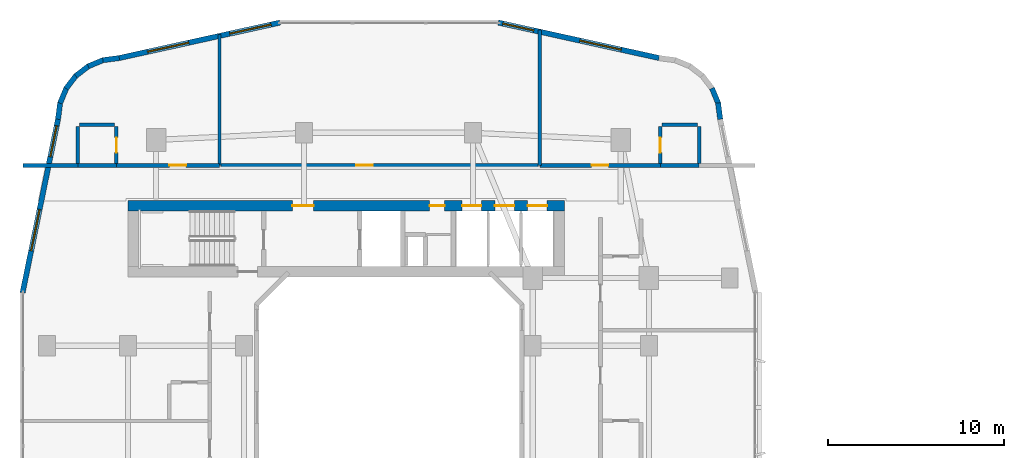
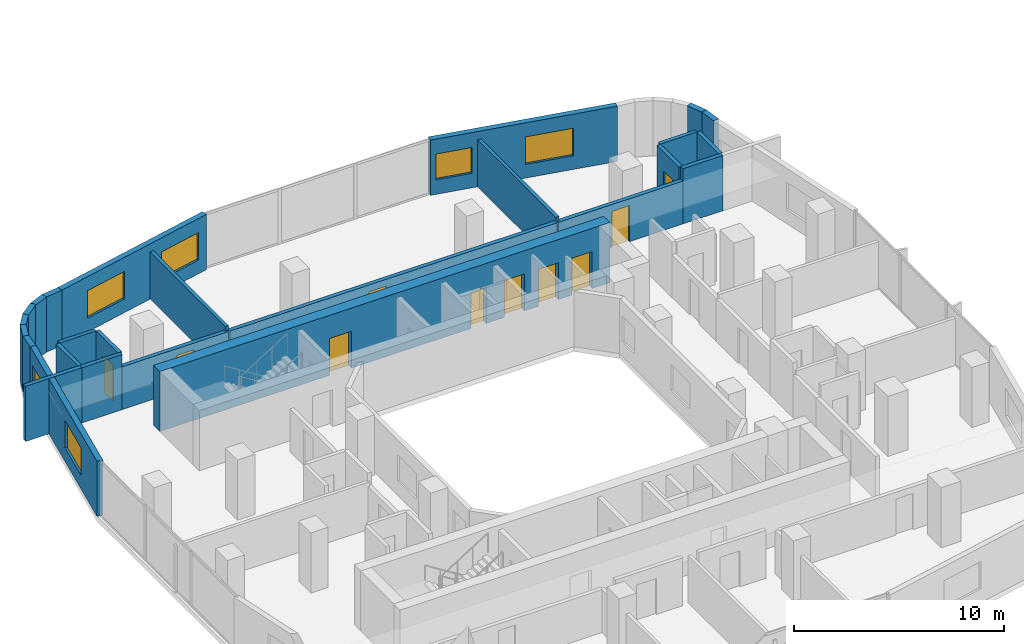
# One storey, part 16 of 26: 26 walls, 10 doors, 6 windows, 16 openings.
"""IFC4 building model written with IfcOpenShell, lengths in metres."""

from ifc_helpers import new_model, si_unit, derived_unit, direction, frame, frame_2d, origin, place, context, subcontext, project, spatial, rectangle, extrude, material, layer, layer_set, type_object, element, fill, save


model = new_model("IFC4")

# Units and contexts
model_context = context("Model", 3, precision=1e-05, world=origin(), true_north=direction((0.0, 1.0)))
body_context = subcontext(model_context, "Body", "Model", "MODEL_VIEW")
ifc_project = project(units=[si_unit("LENGTHUNIT", "METRE"), si_unit("AREAUNIT", "SQUARE_METRE"), si_unit("VOLUMEUNIT", "CUBIC_METRE"), si_unit("PLANEANGLEUNIT", "RADIAN"), si_unit("MASSUNIT", "GRAM", prefix="KILO"), derived_unit("THERMALTRANSMITTANCEUNIT", [(si_unit("POWERUNIT", "WATT"), 1), (si_unit("LENGTHUNIT", "METRE"), -2), (si_unit("THERMODYNAMICTEMPERATUREUNIT", "KELVIN"), -1)])], contexts=[model_context])

# Site, building, storey
site_placement = place(None, origin())
site = spatial("IfcSite", under=ifc_project, at=site_placement, CompositionType="ELEMENT")
building_placement = place(site_placement, origin())
building = spatial("IfcBuilding", under=site, at=building_placement, Name="Kivonza Crest Hotel", CompositionType="ELEMENT")
storey_placement = place(building_placement, frame((0.0, 0.0, 55.5)))
storey = spatial("IfcBuildingStorey", under=building, at=storey_placement, Name="L14", CompositionType="ELEMENT", Elevation=55.5)

# Walls
ifc_material_1 = material(Name="High-density acoustic masonry inter-tenancy wall", Category="masonry")
ifc_layer_1 = layer(ifc_material_1, 0.179931640625)
ifc_layer_set_1 = layer_set([ifc_layer_1], Name="High-density acoustic masonry inter-tenancy wall")
wall_type_1 = type_object("IfcWallType", Name="WL-ACOU-180", PredefinedType="SOLIDWALL", material=ifc_layer_set_1)
wall_1_placement = place(storey_placement, frame((11.39990234375, 38.75, 0.0), z_axis=(0.0, 0.0, 1.0), x_axis=(0.0, 1.0, 0.0)))
element("IfcWall", 1, at=wall_1_placement, inside=storey, type_object=wall_type_1, Name="L14 interior partition WA-L14-T1N-DIV1", PredefinedType="SOLIDWALL", context=body_context, shape_type="SweptSolid", body=[
    extrude(rectangle(XDim=7.449951171875, YDim=0.179931640625, at=frame_2d((3.72509765625, 0.0))), origin(), (0.0, 0.0, 1.0), 2.7451171875),
])
wall_2_placement = place(storey_placement, frame((29.60009765625, 38.75, 0.0), z_axis=(0.0, 0.0, 1.0), x_axis=(0.0, 1.0, 0.0)))
element("IfcWall", 2, at=wall_2_placement, inside=storey, type_object=wall_type_1, Name="L14 interior partition WA-L14-T1N-DIV2", PredefinedType="SOLIDWALL", context=body_context, shape_type="SweptSolid", body=[
    extrude(rectangle(XDim=7.68798828125, YDim=0.179931640625, at=frame_2d((3.843994140625, 0.0))), origin(), (0.0, 0.0, 1.0), 2.7451171875),
])
ifc_material_2 = material(Name="Autoclaved aerated concrete blockwork", Category="masonry")
ifc_layer_2 = layer(ifc_material_2, 0.219970703125)
ifc_layer_set_2 = layer_set([ifc_layer_2], Name="Autoclaved aerated concrete blockwork")
wall_type_2 = type_object("IfcWallType", Name="WL-ACOU-220", PredefinedType="SOLIDWALL", material=ifc_layer_set_2)
wall_3_placement = place(storey_placement, frame((0.239990234375, 38.75, 0.0), z_axis=(0.0, 0.0, 1.0), x_axis=(1.0, 0.0, 0.0)))
element("IfcWall", 3, at=wall_3_placement, inside=storey, type_object=wall_type_2, Name="L14 interior partition WA-L14-N01-XCORR", PredefinedType="SOLIDWALL", context=body_context, shape_type="SweptSolid", body=[
    extrude(rectangle(XDim=3.110107421875, YDim=0.219970703125, at=frame_2d((1.55517578125, 0.0))), origin(), (0.0, 0.0, 1.0), 3.219970703125),
])
wall_4_placement = place(storey_placement, frame((3.35009765625, 38.75, 0.0), z_axis=(0.0, 0.0, 1.0), x_axis=(1.0, 0.0, 0.0)))
element("IfcWall", 4, at=wall_4_placement, inside=storey, type_object=wall_type_2, Name="L14 interior partition WA-L14-N01-BCORR", PredefinedType="SOLIDWALL", context=body_context, shape_type="SweptSolid", body=[
    extrude(rectangle(XDim=2.199951171875, YDim=0.219970703125, at=frame_2d((1.10009765625, 0.0))), origin(), (0.0, 0.0, 1.0), 3.219970703125),
])

# Wall, opening, door
wall_5_placement = place(storey_placement, frame((5.550048828125, 38.75, 0.0), z_axis=(0.0, 0.0, 1.0), x_axis=(1.0, 0.0, 0.0)))
wall_5 = element("IfcWall", 5, at=wall_5_placement, inside=storey, type_object=wall_type_2, Name="L14 interior partition WA-L14-N01-MCORR", PredefinedType="SOLIDWALL", context=body_context, shape_type="SweptSolid", body=[
    extrude(rectangle(XDim=5.849853515625, YDim=0.219970703125, at=frame_2d((2.9248046875, 0.0))), origin(), (0.0, 0.0, 1.0), 2.4951171875),
])
opening_1_placement = place(wall_5_placement, frame((3.010009765625, 0.0, 0.0)))
opening_1 = element("IfcOpeningElement", 6, at=opening_1_placement, cuts=wall_5, Name="Opening DU-60", PredefinedType="OPENING", context=body_context, shape_type="SweptSolid", body=[
    extrude(rectangle(XDim=0.949951171875, YDim=2.10009765625, at=frame_2d((0.47509765625, 1.050048828125))), frame((0.0, 0.1201171875, 0.0), z_axis=(0.0, -1.0, 0.0), x_axis=(1.0, 0.0, 0.0)), (0.0, 0.0, 1.0), 0.239990234375),
])
ifc_material_3 = material(Name="Hardwood timber oak", Category="wood")
door_type_1 = type_object("IfcDoorType", Name="DR-UNIT-950", OperationType="NOTDEFINED", PredefinedType="DOOR", material=ifc_material_3)
door_1_placement = place(opening_1_placement, origin())
door_1 = element("IfcDoor", 7, at=door_1_placement, inside=storey, type_object=door_type_1, Name="L14 N01 guest unit entrance fire door", OperationType="SINGLE_SWING_LEFT", OverallHeight=2.10009765625, OverallWidth=0.949951171875, PredefinedType="DOOR", context=body_context, shape_type="SweptSolid", body=[
    extrude(rectangle(XDim=0.949951171875, YDim=2.10009765625, at=frame_2d((0.47509765625, 1.050048828125))), frame((0.0, 0.02490234375, 0.0), z_axis=(0.0, -1.0, 0.0), x_axis=(1.0, 0.0, 0.0)), (0.0, 0.0, 1.0), 0.050048828125),
])
fill(opening_1, door_1)

wall_6_placement = place(storey_placement, frame((11.5, 38.75, 0.0), z_axis=(0.0, 0.0, 1.0), x_axis=(1.0, 0.0, 0.0)))
wall_6 = element("IfcWall", 8, at=wall_6_placement, inside=storey, type_object=wall_type_2, Name="L14 interior partition WA-L14-HK-MAIN-S", PredefinedType="SOLIDWALL", context=body_context, shape_type="SweptSolid", body=[
    extrude(rectangle(XDim=18.0, YDim=0.219970703125, at=frame_2d((9.0, 0.0))), origin(), (0.0, 0.0, 1.0), 2.4951171875),
])
opening_2_placement = place(wall_6_placement, frame((7.6630859375, 0.0, 0.0)))
opening_2 = element("IfcOpeningElement", 9, at=opening_2_placement, cuts=wall_6, Name="Opening DF-60S", PredefinedType="OPENING", context=body_context, shape_type="SweptSolid", body=[
    extrude(rectangle(XDim=0.949951171875, YDim=2.10009765625, at=frame_2d((0.47509765625, 1.050048828125))), frame((0.0, 0.1201171875, 0.0), z_axis=(0.0, -1.0, 0.0), x_axis=(1.0, 0.0, 0.0)), (0.0, 0.0, 1.0), 0.239990234375),
])
door_type_2 = type_object("IfcDoorType", Name="DR-FD60-950", OperationType="NOTDEFINED", PredefinedType="DOOR", material=ifc_material_3)
door_2_placement = place(opening_2_placement, origin())
door_2 = element("IfcDoor", 10, at=door_2_placement, inside=storey, type_object=door_type_2, Name="L14 Housekeeping and Linen Room door", OperationType="SINGLE_SWING_RIGHT", OverallHeight=2.10009765625, OverallWidth=0.949951171875, PredefinedType="DOOR", context=body_context, shape_type="SweptSolid", body=[
    extrude(rectangle(XDim=0.949951171875, YDim=2.10009765625, at=frame_2d((0.47509765625, 1.050048828125))), frame((0.0, 0.02490234375, 0.0), z_axis=(0.0, -1.0, 0.0), x_axis=(1.0, 0.0, 0.0)), (0.0, 0.0, 1.0), 0.050048828125),
])
fill(opening_2, door_2)

# Wall
wall_7_placement = place(storey_placement, frame((36.449951171875, 38.75, 0.0), z_axis=(0.0, 0.0, 1.0), x_axis=(1.0, 0.0, 0.0)))
element("IfcWall", 11, at=wall_7_placement, inside=storey, type_object=wall_type_2, Name="L14 interior partition WA-L14-N02-BCORR", PredefinedType="SOLIDWALL", context=body_context, shape_type="SweptSolid", body=[
    extrude(rectangle(XDim=2.199951171875, YDim=0.219970703125, at=frame_2d((1.10009765625, 0.0))), origin(), (0.0, 0.0, 1.0), 3.219970703125),
])

# Wall, opening, door
wall_8_placement = place(storey_placement, frame((29.60009765625, 38.75, 0.0), z_axis=(0.0, 0.0, 1.0), x_axis=(1.0, 0.0, 0.0)))
wall_8 = element("IfcWall", 12, at=wall_8_placement, inside=storey, type_object=wall_type_2, Name="L14 interior partition WA-L14-N02-MCORR", PredefinedType="SOLIDWALL", context=body_context, shape_type="SweptSolid", body=[
    extrude(rectangle(XDim=6.849853515625, YDim=0.219970703125, at=frame_2d((3.4248046875, 0.0))), origin(), (0.0, 0.0, 1.0), 2.4951171875),
])
opening_3_placement = place(wall_8_placement, frame((2.949951171875, 0.0, 0.0)))
opening_3 = element("IfcOpeningElement", 13, at=opening_3_placement, cuts=wall_8, Name="Opening DU-60", PredefinedType="OPENING", context=body_context, shape_type="SweptSolid", body=[
    extrude(rectangle(XDim=0.949951171875, YDim=2.10009765625, at=frame_2d((0.47509765625, 1.050048828125))), frame((0.0, 0.1201171875, 0.0), z_axis=(0.0, -1.0, 0.0), x_axis=(1.0, 0.0, 0.0)), (0.0, 0.0, 1.0), 0.239990234375),
])
door_3_placement = place(opening_3_placement, origin())
door_3 = element("IfcDoor", 14, at=door_3_placement, inside=storey, type_object=door_type_1, Name="L14 N02 guest unit entrance fire door", OperationType="SINGLE_SWING_RIGHT", OverallHeight=2.10009765625, OverallWidth=0.949951171875, PredefinedType="DOOR", context=body_context, shape_type="SweptSolid", body=[
    extrude(rectangle(XDim=0.949951171875, YDim=2.10009765625, at=frame_2d((0.47509765625, 1.050048828125))), frame((0.0, 0.02490234375, 0.0), z_axis=(0.0, -1.0, 0.0), x_axis=(1.0, 0.0, 0.0)), (0.0, 0.0, 1.0), 0.050048828125),
])
fill(opening_3, door_3)

# Wall, openings, doors
ifc_material_4 = material(Name="Concrete C60/75", Category="concrete")
ifc_layer_3 = layer(ifc_material_4, 0.60009765625)
ifc_layer_set_3 = layer_set([ifc_layer_3], Name="Concrete C60/75")
wall_type_3 = type_object("IfcWallType", Name="WL-CORE-600", PredefinedType="SHEAR", material=ifc_layer_set_3)
wall_9_placement = place(storey_placement, frame((6.199951171875, 36.4599609375, 0.0), z_axis=(0.0, 0.0, 1.0), x_axis=(1.0, 0.0, 0.0)))
wall_9 = element("IfcWall", 15, at=wall_9_placement, inside=storey, type_object=wall_type_3, Name="Core wall T1-N North L14", PredefinedType="SHEAR", context=body_context, shape_type="SweptSolid", body=[
    extrude(rectangle(XDim=24.800048828125, YDim=0.60009765625, at=frame_2d((12.39990234375, 0.0))), origin(), (0.0, 0.0, 1.0), 3.5),
])
opening_4_placement = place(wall_9_placement, frame((9.35009765625, 0.0, 0.0)))
opening_4 = element("IfcOpeningElement", 16, at=opening_4_placement, cuts=wall_9, Name="Opening DF-60", PredefinedType="OPENING", context=body_context, shape_type="SweptSolid", body=[
    extrude(rectangle(XDim=1.199951171875, YDim=2.14990234375, at=frame_2d((0.60009765625, 1.074951171875))), frame((0.0, 0.31005859375, 0.0), z_axis=(0.0, -1.0, 0.0), x_axis=(1.0, 0.0, 0.0)), (0.0, 0.0, 1.0), 0.6201171875),
])
opening_5_placement = place(wall_9_placement, frame((17.139892578125, 0.0, 0.0)))
opening_5 = element("IfcOpeningElement", 17, at=opening_5_placement, cuts=wall_9, Name="Opening DF-60R", PredefinedType="OPENING", context=body_context, shape_type="SweptSolid", body=[
    extrude(rectangle(XDim=0.85009765625, YDim=2.10009765625, at=frame_2d((0.425048828125, 1.050048828125))), frame((0.0, 0.31005859375, 0.0), z_axis=(0.0, -1.0, 0.0), x_axis=(1.0, 0.0, 0.0)), (0.0, 0.0, 1.0), 0.6201171875),
])
opening_6_placement = place(wall_9_placement, frame((18.98291015625, 0.0, 0.0)))
opening_6 = element("IfcOpeningElement", 18, at=opening_6_placement, cuts=wall_9, Name="Opening LD-120", PredefinedType="OPENING", context=body_context, shape_type="SweptSolid", body=[
    extrude(rectangle(XDim=1.10009765625, YDim=2.14990234375, at=frame_2d((0.550048828125, 1.074951171875))), frame((0.0, 0.31005859375, 0.0), z_axis=(0.0, -1.0, 0.0), x_axis=(1.0, 0.0, 0.0)), (0.0, 0.0, 1.0), 0.6201171875),
])
opening_7_placement = place(wall_9_placement, frame((20.85009765625, 0.0, 0.0)))
opening_7 = element("IfcOpeningElement", 19, at=opening_7_placement, cuts=wall_9, Name="Opening LD-120", PredefinedType="OPENING", context=body_context, shape_type="SweptSolid", body=[
    extrude(rectangle(XDim=1.10009765625, YDim=2.14990234375, at=frame_2d((0.550048828125, 1.074951171875))), frame((0.0, 0.31005859375, 0.0), z_axis=(0.0, -1.0, 0.0), x_axis=(1.0, 0.0, 0.0)), (0.0, 0.0, 1.0), 0.6201171875),
])
opening_8_placement = place(wall_9_placement, frame((22.716064453125, 0.0, 0.0)))
opening_8 = element("IfcOpeningElement", 20, at=opening_8_placement, cuts=wall_9, Name="Opening LD-120", PredefinedType="OPENING", context=body_context, shape_type="SweptSolid", body=[
    extrude(rectangle(XDim=1.10009765625, YDim=2.14990234375, at=frame_2d((0.550048828125, 1.074951171875))), frame((0.0, 0.31005859375, 0.0), z_axis=(0.0, -1.0, 0.0), x_axis=(1.0, 0.0, 0.0)), (0.0, 0.0, 1.0), 0.6201171875),
])
door_type_3 = type_object("IfcDoorType", Name="DR-FD60-1200", OperationType="NOTDEFINED", PredefinedType="DOOR", material=ifc_material_3)
door_4_placement = place(opening_4_placement, origin())
door_4 = element("IfcDoor", 21, at=door_4_placement, inside=storey, type_object=door_type_3, Name="L14 T1-N firefighting lobby fire door", OperationType="SINGLE_SWING_RIGHT", OverallHeight=2.14990234375, OverallWidth=1.199951171875, PredefinedType="DOOR", context=body_context, shape_type="SweptSolid", body=[
    extrude(rectangle(XDim=1.199951171875, YDim=2.14990234375, at=frame_2d((0.60009765625, 1.074951171875))), frame((0.0, 0.02490234375, 0.0), z_axis=(0.0, -1.0, 0.0), x_axis=(1.0, 0.0, 0.0)), (0.0, 0.0, 1.0), 0.050048828125),
])
fill(opening_4, door_4)
door_type_4 = type_object("IfcDoorType", Name="DR-FD60-850", OperationType="NOTDEFINED", PredefinedType="DOOR", material=ifc_material_3)
door_5_placement = place(opening_5_placement, origin())
door_5 = element("IfcDoor", 22, at=door_5_placement, inside=storey, type_object=door_type_4, Name="L14 T1-N core room door", OperationType="SINGLE_SWING_RIGHT", OverallHeight=2.10009765625, OverallWidth=0.85009765625, PredefinedType="DOOR", context=body_context, shape_type="SweptSolid", body=[
    extrude(rectangle(XDim=0.85009765625, YDim=2.10009765625, at=frame_2d((0.425048828125, 1.050048828125))), frame((0.0, 0.02490234375, 0.0), z_axis=(0.0, -1.0, 0.0), x_axis=(1.0, 0.0, 0.0)), (0.0, 0.0, 1.0), 0.050048828125),
])
fill(opening_5, door_5)
ifc_material_5 = material(Name="Stainless steel", Category="steel")
door_type_5 = type_object("IfcDoorType", Name="DR-LD120-1100", OperationType="NOTDEFINED", PredefinedType="DOOR", material=ifc_material_5)
door_6_placement = place(opening_6_placement, origin())
door_6 = element("IfcDoor", 23, at=door_6_placement, inside=storey, type_object=door_type_5, Name="L14 PL-T1-L1 passenger lift sliding landing door", OperationType="DOUBLE_DOOR_SLIDING", OverallHeight=2.14990234375, OverallWidth=1.10009765625, PredefinedType="DOOR", context=body_context, shape_type="SweptSolid", body=[
    extrude(rectangle(XDim=1.10009765625, YDim=2.14990234375, at=frame_2d((0.550048828125, 1.074951171875))), frame((0.0, 0.02490234375, 0.0), z_axis=(0.0, -1.0, 0.0), x_axis=(1.0, 0.0, 0.0)), (0.0, 0.0, 1.0), 0.050048828125),
])
fill(opening_6, door_6)
door_7_placement = place(opening_7_placement, origin())
door_7 = element("IfcDoor", 24, at=door_7_placement, inside=storey, type_object=door_type_5, Name="L14 PL-T1-L2 passenger lift sliding landing door", OperationType="DOUBLE_DOOR_SLIDING", OverallHeight=2.14990234375, OverallWidth=1.10009765625, PredefinedType="DOOR", context=body_context, shape_type="SweptSolid", body=[
    extrude(rectangle(XDim=1.10009765625, YDim=2.14990234375, at=frame_2d((0.550048828125, 1.074951171875))), frame((0.0, 0.02490234375, 0.0), z_axis=(0.0, -1.0, 0.0), x_axis=(1.0, 0.0, 0.0)), (0.0, 0.0, 1.0), 0.050048828125),
])
fill(opening_7, door_7)
door_8_placement = place(opening_8_placement, origin())
door_8 = element("IfcDoor", 25, at=door_8_placement, inside=storey, type_object=door_type_5, Name="L14 PL-T1-L3 passenger lift sliding landing door", OperationType="DOUBLE_DOOR_SLIDING", OverallHeight=2.14990234375, OverallWidth=1.10009765625, PredefinedType="DOOR", context=body_context, shape_type="SweptSolid", body=[
    extrude(rectangle(XDim=1.10009765625, YDim=2.14990234375, at=frame_2d((0.550048828125, 1.074951171875))), frame((0.0, 0.02490234375, 0.0), z_axis=(0.0, -1.0, 0.0), x_axis=(1.0, 0.0, 0.0)), (0.0, 0.0, 1.0), 0.050048828125),
])
fill(opening_8, door_8)

# Walls
ifc_material_6 = material(Name="Precast concrete C40/50", Category="concrete")
ifc_layer_4 = layer(ifc_material_6, 0.300048828125)
ifc_layer_set_4 = layer_set([ifc_layer_4], Name="Precast concrete C40/50")
wall_type_4 = type_object("IfcWallType", Name="WL-EXT-300", PredefinedType="STANDARD", material=ifc_layer_set_4)
wall_10_placement = place(storey_placement, frame((39.85205078125, 41.3720703125, 0.0), z_axis=(0.0, 0.0, 1.0), x_axis=(-0.131174864804, 0.991359246108, 0.0)))
element("IfcWall", 26, at=wall_10_placement, inside=storey, type_object=wall_type_4, Name="L14 T1 exterior insulated wall 19", PredefinedType="STANDARD", context=body_context, shape_type="SweptSolid", body=[
    extrude(rectangle(XDim=0.93798828125, YDim=0.300048828125, at=frame_2d((0.468994140625, 0.0))), origin(), (0.0, 0.0, 1.0), 3.219970703125),
])
wall_11_placement = place(storey_placement, frame((39.748046875, 42.251953125, 0.0), z_axis=(0.0, 0.0, 1.0), x_axis=(-0.382344263057, 0.924019948111, 0.0)))
element("IfcWall", 27, at=wall_11_placement, inside=storey, type_object=wall_type_4, Name="L14 T1 exterior insulated wall 20", PredefinedType="STANDARD", context=body_context, shape_type="SweptSolid", body=[
    extrude(rectangle(XDim=0.95458984375, YDim=0.300048828125, at=frame_2d((0.477294921875, 0.0))), origin(), (0.0, 0.0, 1.0), 3.219970703125),
])

# Wall, openings, windows
wall_12_placement = place(storey_placement, frame((36.3759765625, 44.85205078125, 0.0), z_axis=(0.0, 0.0, 1.0), x_axis=(-0.97654500432, 0.215313386808, 0.0)))
wall_12 = element("IfcWall", 28, at=wall_12_placement, inside=storey, type_object=wall_type_4, Name="L14 T1 exterior insulated wall 25", PredefinedType="STANDARD", context=body_context, shape_type="SweptSolid", body=[
    extrude(rectangle(XDim=9.353515625, YDim=0.300048828125, at=frame_2d((4.6767578125, 0.0))), origin(), (0.0, 0.0, 1.0), 3.219970703125),
])
opening_9_placement = place(wall_12_placement, frame((2.2041015625, 0.0, 0.800048828125)))
opening_9 = element("IfcOpeningElement", 29, at=opening_9_placement, cuts=wall_12, Name="Opening WN-05", PredefinedType="OPENING", context=body_context, shape_type="SweptSolid", body=[
    extrude(rectangle(XDim=2.39990234375, YDim=1.60009765625, at=frame_2d((1.199951171875, 0.800048828125))), frame((0.0, 0.16015625, 0.0), z_axis=(0.0, -1.0, 0.0), x_axis=(1.0, 0.0, 0.0)), (0.0, 0.0, 1.0), 0.320068359375),
])
opening_10_placement = place(wall_12_placement, frame((7.285888671875, 0.0, 0.85009765625)))
opening_10 = element("IfcOpeningElement", 30, at=opening_10_placement, cuts=wall_12, Name="Opening WN-03", PredefinedType="OPENING", context=body_context, shape_type="SweptSolid", body=[
    extrude(rectangle(XDim=1.800048828125, YDim=1.5, at=frame_2d((0.89990234375, 0.75))), frame((0.0, 0.16015625, 0.0), z_axis=(0.0, -1.0, 0.0), x_axis=(1.0, 0.0, 0.0)), (0.0, 0.0, 1.0), 0.320068359375),
])
ifc_material_7 = material(Name="Thermally broken bronze aluminium and low-E double glazing", Category="aluminium")
window_type_1 = type_object("IfcWindowType", Name="WN-180x150", PartitioningType="DOUBLE_PANEL_VERTICAL", PredefinedType="WINDOW", material=ifc_material_7)
window_1_placement = place(opening_10_placement, origin())
window_1 = element("IfcWindow", 31, at=window_1_placement, inside=storey, type_object=window_type_1, Name="L14 T1 facade window 25 bay 2", OverallHeight=1.5, OverallWidth=1.800048828125, PartitioningType="SINGLE_PANEL", PredefinedType="WINDOW", context=body_context, shape_type="SweptSolid", body=[
    extrude(rectangle(XDim=1.800048828125, YDim=1.5, at=frame_2d((0.89990234375, 0.75))), frame((0.0, 0.030029296875, 0.0), z_axis=(0.0, -1.0, 0.0), x_axis=(1.0, 0.0, 0.0)), (0.0, 0.0, 1.0), 0.06005859375),
])
fill(opening_10, window_1)
window_type_2 = type_object("IfcWindowType", Name="WN-240x160", PartitioningType="TRIPLE_PANEL_VERTICAL", PredefinedType="WINDOW", material=ifc_material_7)
window_2_placement = place(opening_9_placement, origin())
window_2 = element("IfcWindow", 32, at=window_2_placement, inside=storey, type_object=window_type_2, Name="L14 T1 facade window 25 bay 1", OverallHeight=1.60009765625, OverallWidth=2.39990234375, PartitioningType="SINGLE_PANEL", PredefinedType="WINDOW", context=body_context, shape_type="SweptSolid", body=[
    extrude(rectangle(XDim=2.39990234375, YDim=1.60009765625, at=frame_2d((1.199951171875, 0.800048828125))), frame((0.0, 0.030029296875, 0.0), z_axis=(0.0, -1.0, 0.0), x_axis=(1.0, 0.0, 0.0)), (0.0, 0.0, 1.0), 0.06005859375),
])
fill(opening_9, window_2)

wall_13_placement = place(storey_placement, frame((14.837890625, 46.865966796875, 0.0), z_axis=(0.0, 0.0, 1.0), x_axis=(-0.9765437942, -0.215318875183, 0.0)))
wall_13 = element("IfcWall", 33, at=wall_13_placement, inside=storey, type_object=wall_type_4, Name="L14 T1 exterior insulated wall 27", PredefinedType="STANDARD", context=body_context, shape_type="SweptSolid", body=[
    extrude(rectangle(XDim=9.353271484375, YDim=0.300048828125, at=frame_2d((4.6767578125, 0.0))), origin(), (0.0, 0.0, 1.0), 3.219970703125),
])
opening_11_placement = place(wall_13_placement, frame((0.52001953125, 0.0, 0.800048828125)))
opening_11 = element("IfcOpeningElement", 34, at=opening_11_placement, cuts=wall_13, Name="Opening WN-05", PredefinedType="OPENING", context=body_context, shape_type="SweptSolid", body=[
    extrude(rectangle(XDim=2.39990234375, YDim=1.60009765625, at=frame_2d((1.199951171875, 0.800048828125))), frame((0.0, 0.16015625, 0.0), z_axis=(0.0, -1.0, 0.0), x_axis=(1.0, 0.0, 0.0)), (0.0, 0.0, 1.0), 0.320068359375),
])
opening_12_placement = place(wall_13_placement, frame((5.302001953125, 0.0, 0.800048828125)))
opening_12 = element("IfcOpeningElement", 35, at=opening_12_placement, cuts=wall_13, Name="Opening WN-05", PredefinedType="OPENING", context=body_context, shape_type="SweptSolid", body=[
    extrude(rectangle(XDim=2.39990234375, YDim=1.60009765625, at=frame_2d((1.199951171875, 0.800048828125))), frame((0.0, 0.16015625, 0.0), z_axis=(0.0, -1.0, 0.0), x_axis=(1.0, 0.0, 0.0)), (0.0, 0.0, 1.0), 0.320068359375),
])
window_3_placement = place(opening_11_placement, origin())
window_3 = element("IfcWindow", 36, at=window_3_placement, inside=storey, type_object=window_type_2, Name="L14 T1 facade window 27 bay 1", OverallHeight=1.60009765625, OverallWidth=2.39990234375, PartitioningType="SINGLE_PANEL", PredefinedType="WINDOW", context=body_context, shape_type="SweptSolid", body=[
    extrude(rectangle(XDim=2.39990234375, YDim=1.60009765625, at=frame_2d((1.199951171875, 0.800048828125))), frame((0.0, 0.030029296875, 0.0), z_axis=(0.0, -1.0, 0.0), x_axis=(1.0, 0.0, 0.0)), (0.0, 0.0, 1.0), 0.06005859375),
])
fill(opening_11, window_3)
window_4_placement = place(opening_12_placement, origin())
window_4 = element("IfcWindow", 37, at=window_4_placement, inside=storey, type_object=window_type_2, Name="L14 T1 facade window 27 bay 2", OverallHeight=1.60009765625, OverallWidth=2.39990234375, PartitioningType="SINGLE_PANEL", PredefinedType="WINDOW", context=body_context, shape_type="SweptSolid", body=[
    extrude(rectangle(XDim=2.39990234375, YDim=1.60009765625, at=frame_2d((1.199951171875, 0.800048828125))), frame((0.0, 0.030029296875, 0.0), z_axis=(0.0, -1.0, 0.0), x_axis=(1.0, 0.0, 0.0)), (0.0, 0.0, 1.0), 0.06005859375),
])
fill(opening_12, window_4)

# Walls
wall_14_placement = place(storey_placement, frame((5.7080078125, 44.85205078125, 0.0), z_axis=(0.0, 0.0, 1.0), x_axis=(-0.991359246108, -0.131174864804, 0.0)))
element("IfcWall", 38, at=wall_14_placement, inside=storey, type_object=wall_type_4, Name="L14 T1 exterior insulated wall 28", PredefinedType="STANDARD", context=body_context, shape_type="SweptSolid", body=[
    extrude(rectangle(XDim=0.93798828125, YDim=0.300048828125, at=frame_2d((0.468994140625, 0.0))), origin(), (0.0, 0.0, 1.0), 3.219970703125),
])
wall_15_placement = place(storey_placement, frame((4.827880859375, 44.748046875, 0.0), z_axis=(0.0, 0.0, 1.0), x_axis=(-0.923982547689, -0.382434636986, 0.0)))
element("IfcWall", 39, at=wall_15_placement, inside=storey, type_object=wall_type_4, Name="L14 T1 exterior insulated wall 29", PredefinedType="STANDARD", context=body_context, shape_type="SweptSolid", body=[
    extrude(rectangle(XDim=0.954345703125, YDim=0.300048828125, at=frame_2d((0.47705078125, 0.0))), origin(), (0.0, 0.0, 1.0), 3.219970703125),
])
for number, where, z_axis, x_axis, name in (
    (40, (3.990966796875, 44.4140625, 0.0), (0.0, 0.0, 1.0), (-0.793668068435, -0.608351047625, 0.0), "L14 T1 exterior insulated wall 30"),
    (41, (3.26806640625, 43.875, 0.0), (0.0, 0.0, 1.0), (-0.608351047625, -0.793668068435, 0.0), "L14 T1 exterior insulated wall 31"),
):
    element("IfcWall", number, at=place(storey_placement, frame(where, z_axis=z_axis, x_axis=x_axis)), inside=storey, type_object=wall_type_4, Name=name, PredefinedType="STANDARD", context=body_context, shape_type="SweptSolid", body=[
        extrude(rectangle(XDim=0.955078125, YDim=0.300048828125, at=frame_2d((0.4775390625, 0.0))), origin(), (0.0, 0.0, 1.0), 3.219970703125),
    ])
wall_16_placement = place(storey_placement, frame((2.7109375, 43.166015625, 0.0), z_axis=(0.0, 0.0, 1.0), x_axis=(-0.382344263057, -0.924019948111, 0.0)))
element("IfcWall", 42, at=wall_16_placement, inside=storey, type_object=wall_type_4, Name="L14 T1 exterior insulated wall 32", PredefinedType="STANDARD", context=body_context, shape_type="SweptSolid", body=[
    extrude(rectangle(XDim=0.95458984375, YDim=0.300048828125, at=frame_2d((0.477294921875, 0.0))), origin(), (0.0, 0.0, 1.0), 3.219970703125),
])
wall_17_placement = place(storey_placement, frame((2.35498046875, 42.3369140625, 0.0), z_axis=(0.0, 0.0, 1.0), x_axis=(-0.130454512571, -0.991454295543, 0.0)))
element("IfcWall", 43, at=wall_17_placement, inside=storey, type_object=wall_type_4, Name="L14 T1 exterior insulated wall 33", PredefinedType="STANDARD", context=body_context, shape_type="SweptSolid", body=[
    extrude(rectangle(XDim=0.97314453125, YDim=0.300048828125, at=frame_2d((0.486572265625, 0.0))), origin(), (0.0, 0.0, 1.0), 3.219970703125),
])

# Wall, openings, windows
wall_18_placement = place(storey_placement, frame((2.22900390625, 41.3779296875, 0.0), z_axis=(0.0, 0.0, 1.0), x_axis=(-0.199990901713, -0.979797754249, 0.0)))
wall_18 = element("IfcWall", 44, at=wall_18_placement, inside=storey, type_object=wall_type_4, Name="L14 T1 exterior insulated wall 34", PredefinedType="STANDARD", context=body_context, shape_type="SweptSolid", body=[
    extrude(rectangle(XDim=10.065185546875, YDim=0.300048828125, at=frame_2d((5.03271484375, 0.0))), origin(), (0.0, 0.0, 1.0), 3.219970703125),
])
opening_13_placement = place(wall_18_placement, frame((0.3779296875, 0.0, 0.85009765625)))
opening_13 = element("IfcOpeningElement", 45, at=opening_13_placement, cuts=wall_18, Name="Opening WN-03", PredefinedType="OPENING", context=body_context, shape_type="SweptSolid", body=[
    extrude(rectangle(XDim=1.800048828125, YDim=1.5, at=frame_2d((0.89990234375, 0.75))), frame((0.0, 0.16015625, 0.0), z_axis=(0.0, -1.0, 0.0), x_axis=(1.0, 0.0, 0.0)), (0.0, 0.0, 1.0), 0.320068359375),
])
opening_14_placement = place(wall_18_placement, frame((5.236083984375, 0.0, 0.800048828125)))
opening_14 = element("IfcOpeningElement", 46, at=opening_14_placement, cuts=wall_18, Name="Opening WN-05", PredefinedType="OPENING", context=body_context, shape_type="SweptSolid", body=[
    extrude(rectangle(XDim=2.39990234375, YDim=1.60009765625, at=frame_2d((1.199951171875, 0.800048828125))), frame((0.0, 0.16015625, 0.0), z_axis=(0.0, -1.0, 0.0), x_axis=(1.0, 0.0, 0.0)), (0.0, 0.0, 1.0), 0.320068359375),
])
window_5_placement = place(opening_13_placement, origin())
window_5 = element("IfcWindow", 47, at=window_5_placement, inside=storey, type_object=window_type_1, Name="L14 T1 facade window 34 bay 1", OverallHeight=1.5, OverallWidth=1.800048828125, PartitioningType="SINGLE_PANEL", PredefinedType="WINDOW", context=body_context, shape_type="SweptSolid", body=[
    extrude(rectangle(XDim=1.800048828125, YDim=1.5, at=frame_2d((0.89990234375, 0.75))), frame((0.0, 0.030029296875, 0.0), z_axis=(0.0, -1.0, 0.0), x_axis=(1.0, 0.0, 0.0)), (0.0, 0.0, 1.0), 0.06005859375),
])
fill(opening_13, window_5)
window_6_placement = place(opening_14_placement, origin())
window_6 = element("IfcWindow", 48, at=window_6_placement, inside=storey, type_object=window_type_2, Name="L14 T1 facade window 34 bay 2", OverallHeight=1.60009765625, OverallWidth=2.39990234375, PartitioningType="SINGLE_PANEL", PredefinedType="WINDOW", context=body_context, shape_type="SweptSolid", body=[
    extrude(rectangle(XDim=2.39990234375, YDim=1.60009765625, at=frame_2d((1.199951171875, 0.800048828125))), frame((0.0, 0.030029296875, 0.0), z_axis=(0.0, -1.0, 0.0), x_axis=(1.0, 0.0, 0.0)), (0.0, 0.0, 1.0), 0.06005859375),
])
fill(opening_14, window_6)

# Wall, opening, door
ifc_material_8 = material(Name="Moisture-resistant plumbing chase partition wall", Category="gypsum")
ifc_layer_5 = layer(ifc_material_8, 0.199951171875)
ifc_layer_set_5 = layer_set([ifc_layer_5], Name="Moisture-resistant plumbing chase partition wall")
wall_type_5 = type_object("IfcWallType", Name="WL-PLUMB-200", PredefinedType="PLUMBINGWALL", material=ifc_layer_set_5)
wall_19_placement = place(storey_placement, frame((5.550048828125, 38.85009765625, 0.0), z_axis=(0.0, 0.0, 1.0), x_axis=(0.0, 1.0, 0.0)))
wall_19 = element("IfcWall", 49, at=wall_19_placement, inside=storey, type_object=wall_type_5, Name="L14 interior partition WW-L14-N01-BV", PredefinedType="PLUMBINGWALL", context=body_context, shape_type="SweptSolid", body=[
    extrude(rectangle(XDim=2.099853515625, YDim=0.199951171875, at=frame_2d((1.0498046875, 0.0))), origin(), (0.0, 0.0, 1.0), 3.219970703125),
])
opening_15_placement = place(wall_19_placement, frame((0.625, 0.0, 0.0)))
opening_15 = element("IfcOpeningElement", 50, at=opening_15_placement, cuts=wall_19, Name="Opening DI-85", PredefinedType="OPENING", context=body_context, shape_type="SweptSolid", body=[
    extrude(rectangle(XDim=0.85009765625, YDim=2.10009765625, at=frame_2d((0.425048828125, 1.050048828125))), frame((0.0, 0.10986328125, 0.0), z_axis=(0.0, -1.0, 0.0), x_axis=(1.0, 0.0, 0.0)), (0.0, 0.0, 1.0), 0.219970703125),
])
door_type_6 = type_object("IfcDoorType", Name="DR-INT-850", OperationType="NOTDEFINED", PredefinedType="DOOR", material=ifc_material_3)
door_9_placement = place(opening_15_placement, frame((0.85009765625, 0.0, 0.0), z_axis=(0.0, 0.0, 1.0), x_axis=(-1.0, 0.0, 0.0)))
door_9 = element("IfcDoor", 51, at=door_9_placement, inside=storey, type_object=door_type_6, Name="L14 N01 en-suite bathroom door", OperationType="SINGLE_SWING_RIGHT", OverallHeight=2.10009765625, OverallWidth=0.85009765625, PredefinedType="DOOR", context=body_context, shape_type="SweptSolid", body=[
    extrude(rectangle(XDim=0.85009765625, YDim=2.10009765625, at=frame_2d((0.425048828125, 1.050048828125))), frame((0.0, 0.02490234375, 0.0), z_axis=(0.0, -1.0, 0.0), x_axis=(1.0, 0.0, 0.0)), (0.0, 0.0, 1.0), 0.050048828125),
])
fill(opening_15, door_9)

# Walls
wall_20_placement = place(storey_placement, frame((3.449951171875, 41.050048828125, 0.0), z_axis=(0.0, 0.0, 1.0), x_axis=(1.0, 0.0, 0.0)))
element("IfcWall", 52, at=wall_20_placement, inside=storey, type_object=wall_type_5, Name="L14 interior partition WW-L14-N01-BH", PredefinedType="PLUMBINGWALL", context=body_context, shape_type="SweptSolid", body=[
    extrude(rectangle(XDim=2.0, YDim=0.199951171875, at=frame_2d((1.0, 0.0))), origin(), (0.0, 0.0, 1.0), 3.219970703125),
])
wall_21_placement = place(storey_placement, frame((3.35009765625, 38.85009765625, 0.0), z_axis=(0.0, 0.0, 1.0), x_axis=(0.0, 1.0, 0.0)))
element("IfcWall", 53, at=wall_21_placement, inside=storey, type_object=wall_type_5, Name="L14 interior partition WW-L14-N01-BVW", PredefinedType="PLUMBINGWALL", context=body_context, shape_type="SweptSolid", body=[
    extrude(rectangle(XDim=2.099853515625, YDim=0.199951171875, at=frame_2d((1.0498046875, 0.0))), origin(), (0.0, 0.0, 1.0), 3.219970703125),
])

# Wall, opening, door
wall_22_placement = place(storey_placement, frame((36.449951171875, 38.85009765625, 0.0), z_axis=(0.0, 0.0, 1.0), x_axis=(0.0, 1.0, 0.0)))
wall_22 = element("IfcWall", 54, at=wall_22_placement, inside=storey, type_object=wall_type_5, Name="L14 interior partition WW-L14-N02-BV", PredefinedType="PLUMBINGWALL", context=body_context, shape_type="SweptSolid", body=[
    extrude(rectangle(XDim=2.099853515625, YDim=0.199951171875, at=frame_2d((1.0498046875, 0.0))), origin(), (0.0, 0.0, 1.0), 3.219970703125),
])
opening_16_placement = place(wall_22_placement, frame((0.625, 0.0, 0.0)))
opening_16 = element("IfcOpeningElement", 55, at=opening_16_placement, cuts=wall_22, Name="Opening DI-85", PredefinedType="OPENING", context=body_context, shape_type="SweptSolid", body=[
    extrude(rectangle(XDim=0.85009765625, YDim=2.10009765625, at=frame_2d((0.425048828125, 1.050048828125))), frame((0.0, 0.10986328125, 0.0), z_axis=(0.0, -1.0, 0.0), x_axis=(1.0, 0.0, 0.0)), (0.0, 0.0, 1.0), 0.219970703125),
])
door_10_placement = place(opening_16_placement, origin())
door_10 = element("IfcDoor", 56, at=door_10_placement, inside=storey, type_object=door_type_6, Name="L14 N02 en-suite bathroom door", OperationType="SINGLE_SWING_LEFT", OverallHeight=2.10009765625, OverallWidth=0.85009765625, PredefinedType="DOOR", context=body_context, shape_type="SweptSolid", body=[
    extrude(rectangle(XDim=0.85009765625, YDim=2.10009765625, at=frame_2d((0.425048828125, 1.050048828125))), frame((0.0, 0.02490234375, 0.0), z_axis=(0.0, -1.0, 0.0), x_axis=(1.0, 0.0, 0.0)), (0.0, 0.0, 1.0), 0.050048828125),
])
fill(opening_16, door_10)

# Walls
wall_23_placement = place(storey_placement, frame((36.550048828125, 41.050048828125, 0.0), z_axis=(0.0, 0.0, 1.0), x_axis=(1.0, 0.0, 0.0)))
element("IfcWall", 57, at=wall_23_placement, inside=storey, type_object=wall_type_5, Name="L14 interior partition WW-L14-N02-BH", PredefinedType="PLUMBINGWALL", context=body_context, shape_type="SweptSolid", body=[
    extrude(rectangle(XDim=2.0, YDim=0.199951171875, at=frame_2d((1.0, 0.0))), origin(), (0.0, 0.0, 1.0), 3.219970703125),
])
wall_24_placement = place(storey_placement, frame((38.64990234375, 38.85009765625, 0.0), z_axis=(0.0, 0.0, 1.0), x_axis=(0.0, 1.0, 0.0)))
element("IfcWall", 58, at=wall_24_placement, inside=storey, type_object=wall_type_5, Name="L14 interior partition WW-L14-N02-BVE", PredefinedType="PLUMBINGWALL", context=body_context, shape_type="SweptSolid", body=[
    extrude(rectangle(XDim=2.099853515625, YDim=0.199951171875, at=frame_2d((1.0498046875, 0.0))), origin(), (0.0, 0.0, 1.0), 3.219970703125),
])

save(model, "model.ifc")
